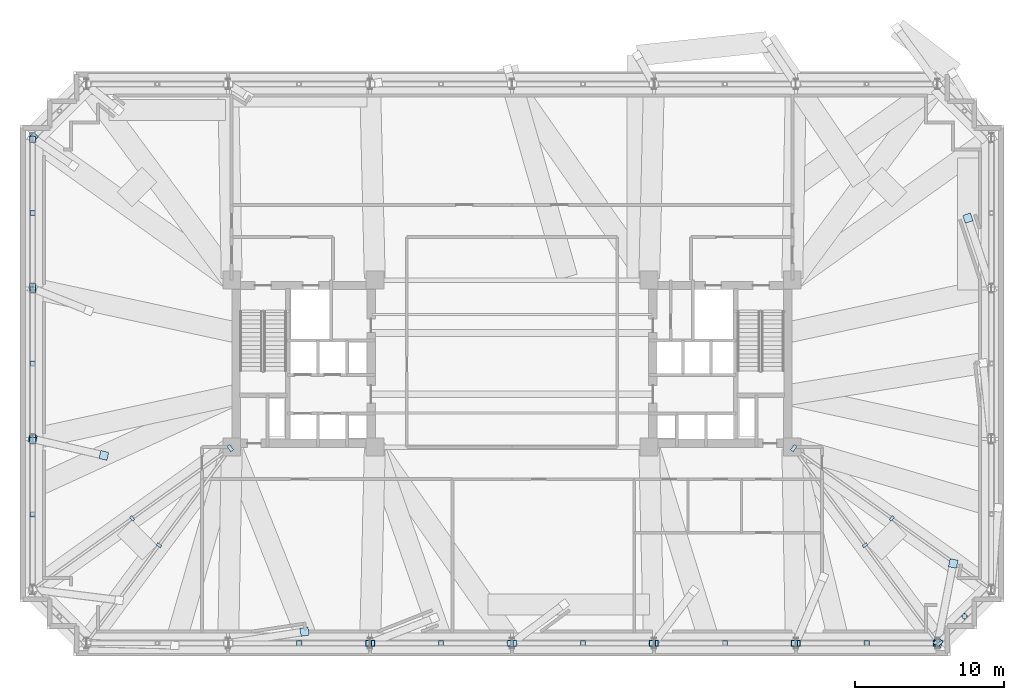
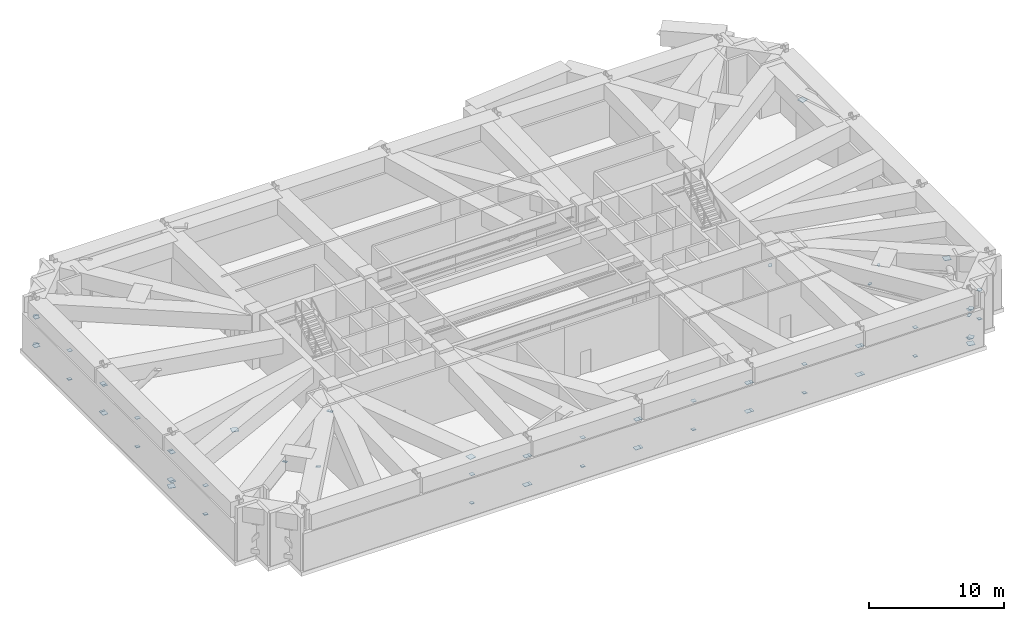
# One storey, part 13 of 20: 63 plates.
"""IFC4 building model written with IfcOpenShell, lengths in metres."""

from ifc_helpers import new_model, si_unit, direction, frame, origin, origin_2d, place, context, subcontext, project, spatial, rectangle, extrude, material, layer, layer_set, type_object, element, save


model = new_model("IFC4")

# Units and contexts
model_context = context("Model", 3, precision=1e-05, world=origin(), true_north=direction((0.0, 1.0)))
body_context = subcontext(model_context, "Body", "Model", "MODEL_VIEW")
ifc_project = project(units=[si_unit("LENGTHUNIT", "METRE"), si_unit("AREAUNIT", "SQUARE_METRE"), si_unit("VOLUMEUNIT", "CUBIC_METRE"), si_unit("PLANEANGLEUNIT", "RADIAN"), si_unit("MASSUNIT", "GRAM", prefix="KILO")], contexts=[model_context])

# Site, building, storey
site_placement = place(None, origin())
site = spatial("IfcSite", under=ifc_project, at=site_placement, CompositionType="ELEMENT")
building_placement = place(site_placement, origin())
building = spatial("IfcBuilding", under=site, at=building_placement, Name="Qobustan Lattice House", CompositionType="ELEMENT")
storey_placement = place(building_placement, frame((0.0, 0.0, 73.89990234375)))
storey = spatial("IfcBuildingStorey", under=building, at=storey_placement, Name="L20", CompositionType="ELEMENT", Elevation=73.89990234375)

# Plates
ifc_material = material(Name="Steel S355", Category="steel")
ifc_layer = layer(ifc_material, 0.030029296875)
ifc_layer_set = layer_set([ifc_layer], Name="Steel S355")
plate_type = type_object("IfcPlateType", Name="PLT-CAP-25", PredefinedType="SHEET", material=ifc_layer_set)
plate_1_placement = place(storey_placement, frame((-9.61181640625, -18.75, 0.53515625), z_axis=(0.0, 0.0, 1.0), x_axis=(1.0, 0.0, 0.0)))
element("IfcPlate", 1, at=plate_1_placement, inside=storey, type_object=plate_type, Name="L20 TT1 belt truss bottom chord S2-S3 end cap plate 2", PredefinedType="SHEET", context=body_context, shape_type="SweptSolid", body=[
    extrude(rectangle(XDim=0.43994140625, YDim=0.43994140625, at=origin_2d()), origin(), (0.0, 0.0, 1.0), 0.030029296875),
])
plate_2_placement = place(storey_placement, frame((-9.61181640625, -18.75, 3.125), z_axis=(0.0, 0.0, 1.0), x_axis=(1.0, 0.0, 0.0)))
element("IfcPlate", 2, at=plate_2_placement, inside=storey, type_object=plate_type, Name="L20 TT1 belt truss top chord S2-S3 end cap plate 2", PredefinedType="SHEET", context=body_context, shape_type="SweptSolid", body=[
    extrude(rectangle(XDim=0.389892578125, YDim=0.389892578125, at=origin_2d()), origin(), (0.0, 0.0, 1.0), 0.030029296875),
])
plate_3_placement = place(storey_placement, frame((-14.2705078125, -18.75, 3.12744140625), z_axis=(0.0, 0.0, 1.0), x_axis=(1.0, 0.0, 0.0)))
element("IfcPlate", 3, at=plate_3_placement, inside=storey, type_object=plate_type, Name="L20 TT1 belt truss web diagonal S2-S3 A end cap plate 2", PredefinedType="SHEET", context=body_context, shape_type="SweptSolid", body=[
    extrude(rectangle(XDim=0.340087890625, YDim=0.340087890625, at=origin_2d()), origin(), (0.0, 0.0, 1.0), 0.030029296875),
])
plate_4_placement = place(storey_placement, frame((-14.27490234375, -18.75, 0.5302734375), z_axis=(0.0, 0.0, 1.0), x_axis=(1.0, 0.0, 0.0)))
element("IfcPlate", 4, at=plate_4_placement, inside=storey, type_object=plate_type, Name="L20 TT1 belt truss vertical post S2-S3 end cap plate 1", PredefinedType="SHEET", context=body_context, shape_type="SweptSolid", body=[
    extrude(rectangle(XDim=0.2900390625, YDim=0.2900390625, at=origin_2d()), origin(), (0.0, 0.0, 1.0), 0.030029296875),
])
for number, where, z_axis, x_axis, name in (
    (5, (-9.421630859375, -18.75, 0.53515625), (0.0, 0.0, 1.0), (1.0, 0.0, 0.0), "L20 TT1 belt truss bottom chord S3-S4 end cap plate 1"),
    (6, (-0.094970703125, -18.75, 0.53515625), (0.0, 0.0, 1.0), (1.0, 0.0, 0.0), "L20 TT1 belt truss bottom chord S3-S4 end cap plate 2"),
):
    element("IfcPlate", number, at=place(storey_placement, frame(where, z_axis=z_axis, x_axis=x_axis)), inside=storey, type_object=plate_type, Name=name, PredefinedType="SHEET", context=body_context, shape_type="SweptSolid", body=[
        extrude(rectangle(XDim=0.43994140625, YDim=0.43994140625, at=origin_2d()), origin(), (0.0, 0.0, 1.0), 0.030029296875),
    ])
for number, where, z_axis, x_axis, name in (
    (7, (-9.421630859375, -18.75, 3.125), (0.0, 0.0, 1.0), (1.0, 0.0, 0.0), "L20 TT1 belt truss top chord S3-S4 end cap plate 1"),
    (8, (-0.094970703125, -18.75, 3.125), (0.0, 0.0, 1.0), (1.0, 0.0, 0.0), "L20 TT1 belt truss top chord S3-S4 end cap plate 2"),
):
    element("IfcPlate", number, at=place(storey_placement, frame(where, z_axis=z_axis, x_axis=x_axis)), inside=storey, type_object=plate_type, Name=name, PredefinedType="SHEET", context=body_context, shape_type="SweptSolid", body=[
        extrude(rectangle(XDim=0.389892578125, YDim=0.389892578125, at=origin_2d()), origin(), (0.0, 0.0, 1.0), 0.030029296875),
    ])
plate_5_placement = place(storey_placement, frame((-4.75390625, -18.75, 3.12744140625), z_axis=(0.0, 0.0, 1.0), x_axis=(1.0, 0.0, 0.0)))
element("IfcPlate", 9, at=plate_5_placement, inside=storey, type_object=plate_type, Name="L20 TT1 belt truss web diagonal S3-S4 A end cap plate 2", PredefinedType="SHEET", context=body_context, shape_type="SweptSolid", body=[
    extrude(rectangle(XDim=0.340087890625, YDim=0.340087890625, at=origin_2d()), origin(), (0.0, 0.0, 1.0), 0.030029296875),
])
plate_6_placement = place(storey_placement, frame((-4.75830078125, -18.75, 0.5302734375), z_axis=(0.0, 0.0, 1.0), x_axis=(1.0, 0.0, 0.0)))
element("IfcPlate", 10, at=plate_6_placement, inside=storey, type_object=plate_type, Name="L20 TT1 belt truss vertical post S3-S4 end cap plate 1", PredefinedType="SHEET", context=body_context, shape_type="SweptSolid", body=[
    extrude(rectangle(XDim=0.2900390625, YDim=0.2900390625, at=origin_2d()), origin(), (0.0, 0.0, 1.0), 0.030029296875),
])
for number, where, z_axis, x_axis, name in (
    (11, (0.094970703125, -18.75, 0.53515625), (0.0, 0.0, 1.0), (1.0, 0.0, 0.0), "L20 TT1 belt truss bottom chord S4-S5 end cap plate 1"),
    (12, (9.421630859375, -18.75, 0.53515625), (0.0, 0.0, 1.0), (1.0, 0.0, 0.0), "L20 TT1 belt truss bottom chord S4-S5 end cap plate 2"),
):
    element("IfcPlate", number, at=place(storey_placement, frame(where, z_axis=z_axis, x_axis=x_axis)), inside=storey, type_object=plate_type, Name=name, PredefinedType="SHEET", context=body_context, shape_type="SweptSolid", body=[
        extrude(rectangle(XDim=0.43994140625, YDim=0.43994140625, at=origin_2d()), origin(), (0.0, 0.0, 1.0), 0.030029296875),
    ])
for number, where, z_axis, x_axis, name in (
    (13, (0.094970703125, -18.75, 3.125), (0.0, 0.0, 1.0), (1.0, 0.0, 0.0), "L20 TT1 belt truss top chord S4-S5 end cap plate 1"),
    (14, (9.421630859375, -18.75, 3.125), (0.0, 0.0, 1.0), (1.0, 0.0, 0.0), "L20 TT1 belt truss top chord S4-S5 end cap plate 2"),
):
    element("IfcPlate", number, at=place(storey_placement, frame(where, z_axis=z_axis, x_axis=x_axis)), inside=storey, type_object=plate_type, Name=name, PredefinedType="SHEET", context=body_context, shape_type="SweptSolid", body=[
        extrude(rectangle(XDim=0.389892578125, YDim=0.389892578125, at=origin_2d()), origin(), (0.0, 0.0, 1.0), 0.030029296875),
    ])
plate_7_placement = place(storey_placement, frame((4.7626953125, -18.75, 3.12744140625), z_axis=(0.0, 0.0, 1.0), x_axis=(1.0, 0.0, 0.0)))
element("IfcPlate", 15, at=plate_7_placement, inside=storey, type_object=plate_type, Name="L20 TT1 belt truss web diagonal S4-S5 A end cap plate 2", PredefinedType="SHEET", context=body_context, shape_type="SweptSolid", body=[
    extrude(rectangle(XDim=0.340087890625, YDim=0.340087890625, at=origin_2d()), origin(), (0.0, 0.0, 1.0), 0.030029296875),
])
plate_8_placement = place(storey_placement, frame((4.75830078125, -18.75, 0.5302734375), z_axis=(0.0, 0.0, 1.0), x_axis=(1.0, 0.0, 0.0)))
element("IfcPlate", 16, at=plate_8_placement, inside=storey, type_object=plate_type, Name="L20 TT1 belt truss vertical post S4-S5 end cap plate 1", PredefinedType="SHEET", context=body_context, shape_type="SweptSolid", body=[
    extrude(rectangle(XDim=0.2900390625, YDim=0.2900390625, at=origin_2d()), origin(), (0.0, 0.0, 1.0), 0.030029296875),
])
for number, where, z_axis, x_axis, name in (
    (17, (9.61181640625, -18.75, 0.53515625), (0.0, 0.0, 1.0), (1.0, 0.0, 0.0), "L20 TT1 belt truss bottom chord S5-S6 end cap plate 1"),
    (18, (18.938232421875, -18.75, 0.53515625), (0.0, 0.0, 1.0), (1.0, 0.0, 0.0), "L20 TT1 belt truss bottom chord S5-S6 end cap plate 2"),
):
    element("IfcPlate", number, at=place(storey_placement, frame(where, z_axis=z_axis, x_axis=x_axis)), inside=storey, type_object=plate_type, Name=name, PredefinedType="SHEET", context=body_context, shape_type="SweptSolid", body=[
        extrude(rectangle(XDim=0.43994140625, YDim=0.43994140625, at=origin_2d()), origin(), (0.0, 0.0, 1.0), 0.030029296875),
    ])
for number, where, z_axis, x_axis, name in (
    (19, (9.61181640625, -18.75, 3.125), (0.0, 0.0, 1.0), (1.0, 0.0, 0.0), "L20 TT1 belt truss top chord S5-S6 end cap plate 1"),
    (20, (18.938232421875, -18.75, 3.125), (0.0, 0.0, 1.0), (1.0, 0.0, 0.0), "L20 TT1 belt truss top chord S5-S6 end cap plate 2"),
):
    element("IfcPlate", number, at=place(storey_placement, frame(where, z_axis=z_axis, x_axis=x_axis)), inside=storey, type_object=plate_type, Name=name, PredefinedType="SHEET", context=body_context, shape_type="SweptSolid", body=[
        extrude(rectangle(XDim=0.389892578125, YDim=0.389892578125, at=origin_2d()), origin(), (0.0, 0.0, 1.0), 0.030029296875),
    ])
plate_9_placement = place(storey_placement, frame((14.279296875, -18.75, 3.12744140625), z_axis=(0.0, 0.0, 1.0), x_axis=(1.0, 0.0, 0.0)))
element("IfcPlate", 21, at=plate_9_placement, inside=storey, type_object=plate_type, Name="L20 TT1 belt truss web diagonal S5-S6 A end cap plate 2", PredefinedType="SHEET", context=body_context, shape_type="SweptSolid", body=[
    extrude(rectangle(XDim=0.340087890625, YDim=0.340087890625, at=origin_2d()), origin(), (0.0, 0.0, 1.0), 0.030029296875),
])
plate_10_placement = place(storey_placement, frame((14.27490234375, -18.75, 0.5302734375), z_axis=(0.0, 0.0, 1.0), x_axis=(1.0, 0.0, 0.0)))
element("IfcPlate", 22, at=plate_10_placement, inside=storey, type_object=plate_type, Name="L20 TT1 belt truss vertical post S5-S6 end cap plate 1", PredefinedType="SHEET", context=body_context, shape_type="SweptSolid", body=[
    extrude(rectangle(XDim=0.2900390625, YDim=0.2900390625, at=origin_2d()), origin(), (0.0, 0.0, 1.0), 0.030029296875),
])
for number, where, z_axis, x_axis, name in (
    (23, (19.12841796875, -18.75, 0.53515625), (0.0, 0.0, 1.0), (1.0, 0.0, 0.0), "L20 TT1 belt truss bottom chord S6-S7 end cap plate 1"),
    (24, (28.455078125, -18.75, 0.53515625), (0.0, 0.0, 1.0), (1.0, 0.0, 0.0), "L20 TT1 belt truss bottom chord S6-S7 end cap plate 2"),
):
    element("IfcPlate", number, at=place(storey_placement, frame(where, z_axis=z_axis, x_axis=x_axis)), inside=storey, type_object=plate_type, Name=name, PredefinedType="SHEET", context=body_context, shape_type="SweptSolid", body=[
        extrude(rectangle(XDim=0.43994140625, YDim=0.43994140625, at=origin_2d()), origin(), (0.0, 0.0, 1.0), 0.030029296875),
    ])
for number, where, z_axis, x_axis, name in (
    (25, (19.12841796875, -18.75, 3.125), (0.0, 0.0, 1.0), (1.0, 0.0, 0.0), "L20 TT1 belt truss top chord S6-S7 end cap plate 1"),
    (26, (28.455078125, -18.75, 3.125), (0.0, 0.0, 1.0), (1.0, 0.0, 0.0), "L20 TT1 belt truss top chord S6-S7 end cap plate 2"),
):
    element("IfcPlate", number, at=place(storey_placement, frame(where, z_axis=z_axis, x_axis=x_axis)), inside=storey, type_object=plate_type, Name=name, PredefinedType="SHEET", context=body_context, shape_type="SweptSolid", body=[
        extrude(rectangle(XDim=0.389892578125, YDim=0.389892578125, at=origin_2d()), origin(), (0.0, 0.0, 1.0), 0.030029296875),
    ])
plate_11_placement = place(storey_placement, frame((23.7958984375, -18.75, 3.12744140625), z_axis=(0.0, 0.0, 1.0), x_axis=(1.0, 0.0, 0.0)))
element("IfcPlate", 27, at=plate_11_placement, inside=storey, type_object=plate_type, Name="L20 TT1 belt truss web diagonal S6-S7 A end cap plate 2", PredefinedType="SHEET", context=body_context, shape_type="SweptSolid", body=[
    extrude(rectangle(XDim=0.340087890625, YDim=0.340087890625, at=origin_2d()), origin(), (0.0, 0.0, 1.0), 0.030029296875),
])
plate_12_placement = place(storey_placement, frame((23.79150390625, -18.75, 0.5302734375), z_axis=(0.0, 0.0, 1.0), x_axis=(1.0, 0.0, 0.0)))
element("IfcPlate", 28, at=plate_12_placement, inside=storey, type_object=plate_type, Name="L20 TT1 belt truss vertical post S6-S7 end cap plate 1", PredefinedType="SHEET", context=body_context, shape_type="SweptSolid", body=[
    extrude(rectangle(XDim=0.2900390625, YDim=0.2900390625, at=origin_2d()), origin(), (0.0, 0.0, 1.0), 0.030029296875),
])
plate_13_placement = place(storey_placement, frame((28.6171875, -18.682861328125, 0.53515625), z_axis=(0.0, 0.0, 1.0), x_axis=(0.707106781187, 0.707106781187, 0.0)))
element("IfcPlate", 29, at=plate_13_placement, inside=storey, type_object=plate_type, Name="L20 TT1 belt truss bottom chord S7-E1 end cap plate 1", PredefinedType="SHEET", context=body_context, shape_type="SweptSolid", body=[
    extrude(rectangle(XDim=0.43994140625, YDim=0.43994140625, at=origin_2d()), origin(), (0.0, 0.0, 1.0), 0.030029296875),
])
plate_14_placement = place(storey_placement, frame((28.6171875, -18.682861328125, 3.125), z_axis=(0.0, 0.0, 1.0), x_axis=(0.707106781187, 0.707106781187, 0.0)))
element("IfcPlate", 30, at=plate_14_placement, inside=storey, type_object=plate_type, Name="L20 TT1 belt truss top chord S7-E1 end cap plate 1", PredefinedType="SHEET", context=body_context, shape_type="SweptSolid", body=[
    extrude(rectangle(XDim=0.389892578125, YDim=0.389892578125, at=origin_2d()), origin(), (0.0, 0.0, 1.0), 0.030029296875),
])
plate_15_placement = place(storey_placement, frame((30.352294921875, -16.947509765625, 3.12890625), z_axis=(0.0, 0.0, 1.0), x_axis=(0.707106781187, 0.707106781187, 0.0)))
element("IfcPlate", 31, at=plate_15_placement, inside=storey, type_object=plate_type, Name="L20 TT1 belt truss web diagonal S7-E1 A end cap plate 2", PredefinedType="SHEET", context=body_context, shape_type="SweptSolid", body=[
    extrude(rectangle(XDim=0.340087890625, YDim=0.340087890625, at=origin_2d()), origin(), (0.0, 0.0, 1.0), 0.030029296875),
])
plate_16_placement = place(storey_placement, frame((30.35009765625, -16.949951171875, 0.5302734375), z_axis=(0.0, 0.0, 1.0), x_axis=(1.0, 0.0, 0.0)))
element("IfcPlate", 32, at=plate_16_placement, inside=storey, type_object=plate_type, Name="L20 TT1 belt truss vertical post S7-E1 end cap plate 1", PredefinedType="SHEET", context=body_context, shape_type="SweptSolid", body=[
    extrude(rectangle(XDim=0.2900390625, YDim=0.2900390625, at=origin_2d()), origin(), (0.0, 0.0, 1.0), 0.030029296875),
])
plate_17_placement = place(storey_placement, frame((-32.082763671875, 15.21728515625, 0.53515625), z_axis=(0.0, 0.0, 1.0), x_axis=(-0.707106781187, -0.707106781187, 0.0)))
element("IfcPlate", 33, at=plate_17_placement, inside=storey, type_object=plate_type, Name="L20 TT1 belt truss bottom chord N7-W1 end cap plate 2", PredefinedType="SHEET", context=body_context, shape_type="SweptSolid", body=[
    extrude(rectangle(XDim=0.43994140625, YDim=0.43994140625, at=origin_2d()), origin(), (0.0, 0.0, 1.0), 0.030029296875),
])
plate_18_placement = place(storey_placement, frame((-32.082763671875, 15.21728515625, 3.125), z_axis=(0.0, 0.0, 1.0), x_axis=(-0.707106781187, -0.707106781187, 0.0)))
element("IfcPlate", 34, at=plate_18_placement, inside=storey, type_object=plate_type, Name="L20 TT1 belt truss top chord N7-W1 end cap plate 2", PredefinedType="SHEET", context=body_context, shape_type="SweptSolid", body=[
    extrude(rectangle(XDim=0.389892578125, YDim=0.389892578125, at=origin_2d()), origin(), (0.0, 0.0, 1.0), 0.030029296875),
])
for number, where, z_axis, x_axis, name in (
    (35, (-32.14990234375, 15.054931640625, 0.53515625), (0.0, 0.0, 1.0), (0.0, -1.0, 0.0), "L20 TT1 belt truss bottom chord W1-W2 end cap plate 1"),
    (36, (-32.14990234375, 5.14501953125, 0.53515625), (0.0, 0.0, 1.0), (0.0, -1.0, 0.0), "L20 TT1 belt truss bottom chord W1-W2 end cap plate 2"),
):
    element("IfcPlate", number, at=place(storey_placement, frame(where, z_axis=z_axis, x_axis=x_axis)), inside=storey, type_object=plate_type, Name=name, PredefinedType="SHEET", context=body_context, shape_type="SweptSolid", body=[
        extrude(rectangle(XDim=0.43994140625, YDim=0.43994140625, at=origin_2d()), origin(), (0.0, 0.0, 1.0), 0.030029296875),
    ])
for number, where, z_axis, x_axis, name in (
    (37, (-32.14990234375, 15.054931640625, 3.125), (0.0, 0.0, 1.0), (0.0, -1.0, 0.0), "L20 TT1 belt truss top chord W1-W2 end cap plate 1"),
    (38, (-32.14990234375, 5.14501953125, 3.125), (0.0, 0.0, 1.0), (0.0, -1.0, 0.0), "L20 TT1 belt truss top chord W1-W2 end cap plate 2"),
):
    element("IfcPlate", number, at=place(storey_placement, frame(where, z_axis=z_axis, x_axis=x_axis)), inside=storey, type_object=plate_type, Name=name, PredefinedType="SHEET", context=body_context, shape_type="SweptSolid", body=[
        extrude(rectangle(XDim=0.389892578125, YDim=0.389892578125, at=origin_2d()), origin(), (0.0, 0.0, 1.0), 0.030029296875),
    ])
plate_19_placement = place(storey_placement, frame((-32.14990234375, 10.095703125, 3.12744140625), z_axis=(0.0, 0.0, 1.0), x_axis=(0.0, -1.0, 0.0)))
element("IfcPlate", 39, at=plate_19_placement, inside=storey, type_object=plate_type, Name="L20 TT1 belt truss web diagonal W1-W2 A end cap plate 2", PredefinedType="SHEET", context=body_context, shape_type="SweptSolid", body=[
    extrude(rectangle(XDim=0.340087890625, YDim=0.340087890625, at=origin_2d()), origin(), (0.0, 0.0, 1.0), 0.030029296875),
])
plate_20_placement = place(storey_placement, frame((-32.14990234375, 10.10009765625, 0.5302734375), z_axis=(0.0, 0.0, 1.0), x_axis=(1.0, 0.0, 0.0)))
element("IfcPlate", 40, at=plate_20_placement, inside=storey, type_object=plate_type, Name="L20 TT1 belt truss vertical post W1-W2 end cap plate 1", PredefinedType="SHEET", context=body_context, shape_type="SweptSolid", body=[
    extrude(rectangle(XDim=0.2900390625, YDim=0.2900390625, at=origin_2d()), origin(), (0.0, 0.0, 1.0), 0.030029296875),
])
for number, where, z_axis, x_axis, name in (
    (41, (-32.14990234375, 4.955078125, 0.53515625), (0.0, 0.0, 1.0), (0.0, -1.0, 0.0), "L20 TT1 belt truss bottom chord W2-W3 end cap plate 1"),
    (42, (-32.14990234375, -4.955078125, 0.53515625), (0.0, 0.0, 1.0), (0.0, -1.0, 0.0), "L20 TT1 belt truss bottom chord W2-W3 end cap plate 2"),
):
    element("IfcPlate", number, at=place(storey_placement, frame(where, z_axis=z_axis, x_axis=x_axis)), inside=storey, type_object=plate_type, Name=name, PredefinedType="SHEET", context=body_context, shape_type="SweptSolid", body=[
        extrude(rectangle(XDim=0.43994140625, YDim=0.43994140625, at=origin_2d()), origin(), (0.0, 0.0, 1.0), 0.030029296875),
    ])
for number, where, z_axis, x_axis, name in (
    (43, (-32.14990234375, 4.955078125, 3.125), (0.0, 0.0, 1.0), (0.0, -1.0, 0.0), "L20 TT1 belt truss top chord W2-W3 end cap plate 1"),
    (44, (-32.14990234375, -4.955078125, 3.125), (0.0, 0.0, 1.0), (0.0, -1.0, 0.0), "L20 TT1 belt truss top chord W2-W3 end cap plate 2"),
):
    element("IfcPlate", number, at=place(storey_placement, frame(where, z_axis=z_axis, x_axis=x_axis)), inside=storey, type_object=plate_type, Name=name, PredefinedType="SHEET", context=body_context, shape_type="SweptSolid", body=[
        extrude(rectangle(XDim=0.389892578125, YDim=0.389892578125, at=origin_2d()), origin(), (0.0, 0.0, 1.0), 0.030029296875),
    ])
plate_21_placement = place(storey_placement, frame((-32.14990234375, -0.00439453125, 3.12744140625), z_axis=(0.0, 0.0, 1.0), x_axis=(0.0, -1.0, 0.0)))
element("IfcPlate", 45, at=plate_21_placement, inside=storey, type_object=plate_type, Name="L20 TT1 belt truss web diagonal W2-W3 A end cap plate 2", PredefinedType="SHEET", context=body_context, shape_type="SweptSolid", body=[
    extrude(rectangle(XDim=0.340087890625, YDim=0.340087890625, at=origin_2d()), origin(), (0.0, 0.0, 1.0), 0.030029296875),
])
plate_22_placement = place(storey_placement, frame((-32.14990234375, 0.0, 0.5302734375), z_axis=(0.0, 0.0, 1.0), x_axis=(1.0, 0.0, 0.0)))
element("IfcPlate", 46, at=plate_22_placement, inside=storey, type_object=plate_type, Name="L20 TT1 belt truss vertical post W2-W3 end cap plate 1", PredefinedType="SHEET", context=body_context, shape_type="SweptSolid", body=[
    extrude(rectangle(XDim=0.2900390625, YDim=0.2900390625, at=origin_2d()), origin(), (0.0, 0.0, 1.0), 0.030029296875),
])
plate_23_placement = place(storey_placement, frame((-32.14990234375, -5.14501953125, 0.53515625), z_axis=(0.0, 0.0, 1.0), x_axis=(0.0, -1.0, 0.0)))
element("IfcPlate", 47, at=plate_23_placement, inside=storey, type_object=plate_type, Name="L20 TT1 belt truss bottom chord W3-W4 end cap plate 1", PredefinedType="SHEET", context=body_context, shape_type="SweptSolid", body=[
    extrude(rectangle(XDim=0.43994140625, YDim=0.43994140625, at=origin_2d()), origin(), (0.0, 0.0, 1.0), 0.030029296875),
])
plate_24_placement = place(storey_placement, frame((-32.14990234375, -5.14501953125, 3.125), z_axis=(0.0, 0.0, 1.0), x_axis=(0.0, -1.0, 0.0)))
element("IfcPlate", 48, at=plate_24_placement, inside=storey, type_object=plate_type, Name="L20 TT1 belt truss top chord W3-W4 end cap plate 1", PredefinedType="SHEET", context=body_context, shape_type="SweptSolid", body=[
    extrude(rectangle(XDim=0.389892578125, YDim=0.389892578125, at=origin_2d()), origin(), (0.0, 0.0, 1.0), 0.030029296875),
])
plate_25_placement = place(storey_placement, frame((-32.14990234375, -10.1044921875, 3.12744140625), z_axis=(0.0, 0.0, 1.0), x_axis=(0.0, -1.0, 0.0)))
element("IfcPlate", 49, at=plate_25_placement, inside=storey, type_object=plate_type, Name="L20 TT1 belt truss web diagonal W3-W4 A end cap plate 2", PredefinedType="SHEET", context=body_context, shape_type="SweptSolid", body=[
    extrude(rectangle(XDim=0.340087890625, YDim=0.340087890625, at=origin_2d()), origin(), (0.0, 0.0, 1.0), 0.030029296875),
])
plate_26_placement = place(storey_placement, frame((-32.14990234375, -10.10009765625, 0.5302734375), z_axis=(0.0, 0.0, 1.0), x_axis=(1.0, 0.0, 0.0)))
element("IfcPlate", 50, at=plate_26_placement, inside=storey, type_object=plate_type, Name="L20 TT1 belt truss vertical post W3-W4 end cap plate 1", PredefinedType="SHEET", context=body_context, shape_type="SweptSolid", body=[
    extrude(rectangle(XDim=0.2900390625, YDim=0.2900390625, at=origin_2d()), origin(), (0.0, 0.0, 1.0), 0.030029296875),
])
for number, where, z_axis, x_axis, name in (
    (51, (-13.91357421875, -17.979736328125, 4.1083984375), (0.0, 0.0, 1.0), (0.988873520862, 0.148758729957, 0.0), "L20 TT1 column transfer strut S2 end cap plate 2"),
    (52, (28.54931640625, -18.75390625, -0.0029296875), (0.0, 0.0, 1.0), (0.191579904634, 0.98147701967, 0.0), "L20 TT1 column transfer strut S7 end cap plate 1"),
    (53, (29.59375, -13.4033203125, 4.10791015625), (0.0, 0.0, 1.0), (0.191579904634, 0.98147701967, 0.0), "L20 TT1 column transfer strut S7 end cap plate 2"),
    (54, (30.575927734375, 9.759521484375, 4.1083984375), (0.0, 0.0, 1.0), (-0.317006716089, 0.948423292604, 0.0), "L20 TT1 column transfer strut E3 end cap plate 2"),
    (55, (-32.15380859375, -5.049072265625, -0.0029296875), (0.0, 0.0, 1.0), (0.974193088138, -0.225716253344, 0.0), "L20 TT1 column transfer strut W3 end cap plate 1"),
    (56, (-27.373291015625, -6.15673828125, 4.1083984375), (0.0, 0.0, 1.0), (0.974193088138, -0.225716253344, 0.0), "L20 TT1 column transfer strut W3 end cap plate 2"),
):
    element("IfcPlate", number, at=place(storey_placement, frame(where, z_axis=z_axis, x_axis=x_axis)), inside=storey, type_object=plate_type, Name=name, PredefinedType="SHEET", context=body_context, shape_type="SweptSolid", body=[
        extrude(rectangle(XDim=0.548095703125, YDim=0.548095703125, at=origin_2d()), origin(), (0.0, 0.0, 1.0), 0.030029296875),
    ])
plate_27_placement = place(storey_placement, frame((-18.8935546875, -5.6669921875, 2.53515625), z_axis=(0.0, 0.0, 1.0), x_axis=(-0.813324220276, -0.581810718973, 0.0)))
element("IfcPlate", 57, at=plate_27_placement, inside=storey, type_object=plate_type, Name="L20 TT1 outrigger chord OUT-WS end cap plate 1", PredefinedType="SHEET", context=body_context, shape_type="SweptSolid", body=[
    extrude(rectangle(XDim=0.239990234375, YDim=0.43994140625, at=origin_2d()), origin(), (0.0, 0.0, 1.0), 0.030029296875),
])
for number, where, z_axis, x_axis, name in (
    (58, (-25.47900390625, -10.3779296875, 3.12548828125), (0.0, 0.0, 1.0), (-0.813324220276, -0.581810718973, 0.0), "L20 TT1 outrigger diagonal OUT-WS-1 end cap plate 2"),
    (59, (-23.677978515625, -12.178955078125, 3.12548828125), (0.0, 0.0, 1.0), (-0.595594159769, -0.803285501456, 0.0), "L20 TT1 outrigger diagonal OUT-WN-1 end cap plate 2"),
):
    element("IfcPlate", number, at=place(storey_placement, frame(where, z_axis=z_axis, x_axis=x_axis)), inside=storey, type_object=plate_type, Name=name, PredefinedType="SHEET", context=body_context, shape_type="SweptSolid", body=[
        extrude(rectangle(XDim=0.18994140625, YDim=0.340087890625, at=origin_2d()), origin(), (0.0, 0.0, 1.0), 0.030029296875),
    ])
plate_28_placement = place(storey_placement, frame((18.8935546875, -5.6669921875, 2.53515625), z_axis=(0.0, 0.0, 1.0), x_axis=(0.813324220276, -0.581810718973, 0.0)))
element("IfcPlate", 60, at=plate_28_placement, inside=storey, type_object=plate_type, Name="L20 TT1 outrigger chord OUT-ES end cap plate 1", PredefinedType="SHEET", context=body_context, shape_type="SweptSolid", body=[
    extrude(rectangle(XDim=0.239990234375, YDim=0.43994140625, at=origin_2d()), origin(), (0.0, 0.0, 1.0), 0.030029296875),
])
plate_29_placement = place(storey_placement, frame((25.47900390625, -10.3779296875, 3.12548828125), z_axis=(0.0, 0.0, 1.0), x_axis=(0.813324220276, -0.581810718973, 0.0)))
element("IfcPlate", 61, at=plate_29_placement, inside=storey, type_object=plate_type, Name="L20 TT1 outrigger diagonal OUT-ES-1 end cap plate 2", PredefinedType="SHEET", context=body_context, shape_type="SweptSolid", body=[
    extrude(rectangle(XDim=0.18994140625, YDim=0.340087890625, at=origin_2d()), origin(), (0.0, 0.0, 1.0), 0.030029296875),
])
plate_30_placement = place(storey_placement, frame((28.4814453125, -18.65771484375, 2.53515625), z_axis=(0.0, 0.0, 1.0), x_axis=(0.595594159769, -0.803285501456, 0.0)))
element("IfcPlate", 62, at=plate_30_placement, inside=storey, type_object=plate_type, Name="L20 TT1 outrigger chord OUT-EN end cap plate 2", PredefinedType="SHEET", context=body_context, shape_type="SweptSolid", body=[
    extrude(rectangle(XDim=0.239990234375, YDim=0.43994140625, at=origin_2d()), origin(), (0.0, 0.0, 1.0), 0.030029296875),
])
plate_31_placement = place(storey_placement, frame((23.677978515625, -12.178955078125, 3.12548828125), z_axis=(0.0, 0.0, 1.0), x_axis=(0.595594159769, -0.803285501456, 0.0)))
element("IfcPlate", 63, at=plate_31_placement, inside=storey, type_object=plate_type, Name="L20 TT1 outrigger diagonal OUT-EN-1 end cap plate 2", PredefinedType="SHEET", context=body_context, shape_type="SweptSolid", body=[
    extrude(rectangle(XDim=0.18994140625, YDim=0.340087890625, at=origin_2d()), origin(), (0.0, 0.0, 1.0), 0.030029296875),
])

save(model, "model.ifc")
